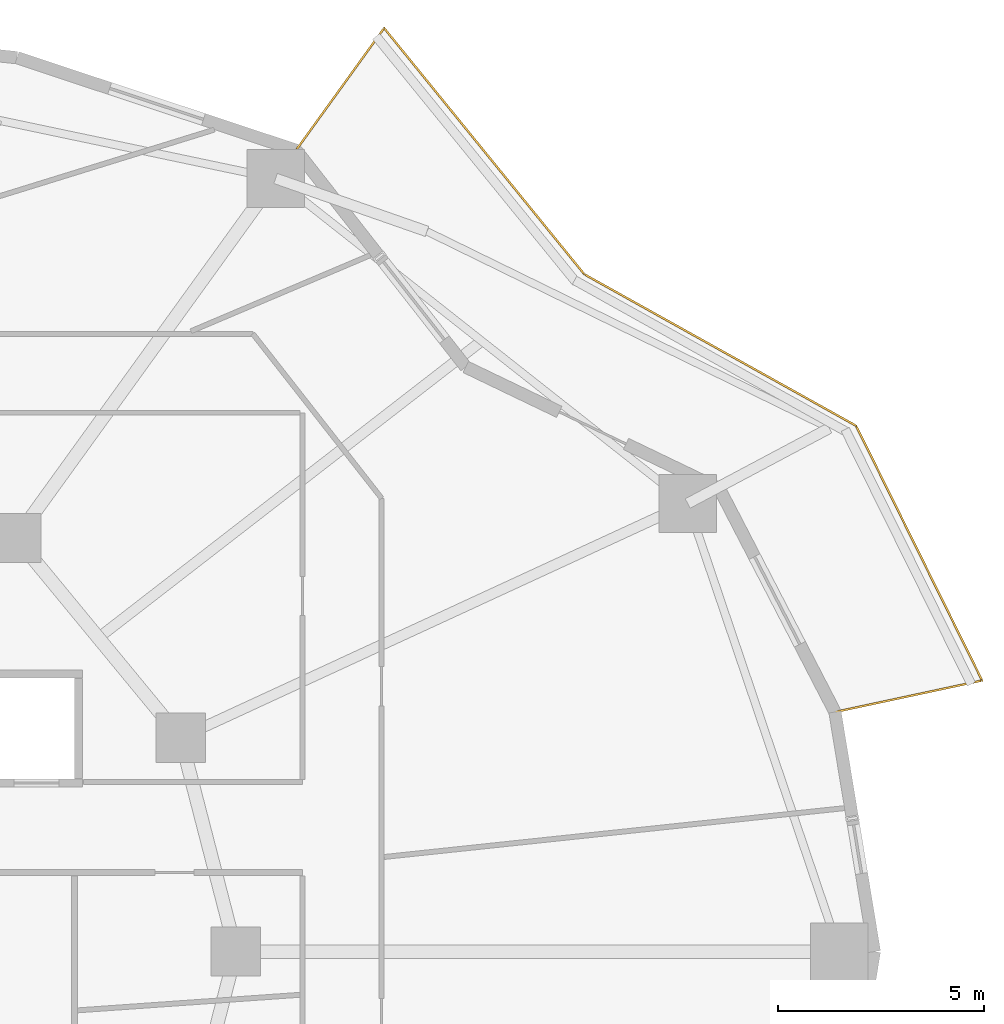
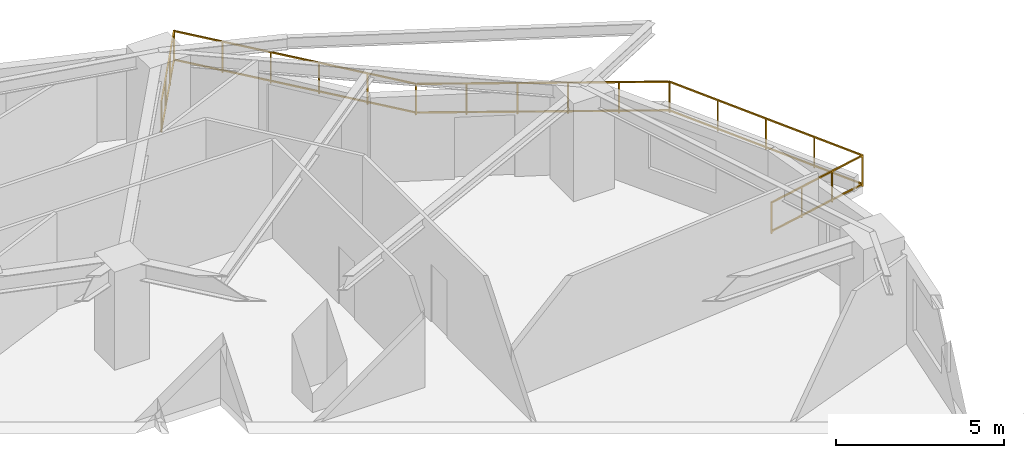
# One storey, part 14 of 14: 1 railing.
"""IFC4 building model written with IfcOpenShell, lengths in metres."""

from ifc_helpers import new_model, si_unit, direction, frame, origin, origin_2d, place, context, subcontext, project, spatial, rectangle, extrude, material, type_object, element, save


model = new_model("IFC4")

# Units and contexts
model_context = context("Model", 3, precision=1e-05, world=origin(), true_north=direction((0.0, 1.0)))
body_context = subcontext(model_context, "Body", "Model", "MODEL_VIEW")
ifc_project = project(units=[si_unit("LENGTHUNIT", "METRE"), si_unit("AREAUNIT", "SQUARE_METRE"), si_unit("VOLUMEUNIT", "CUBIC_METRE"), si_unit("PLANEANGLEUNIT", "RADIAN"), si_unit("MASSUNIT", "GRAM", prefix="KILO")], contexts=[model_context])

# Site, building, storey
site_placement = place(None, origin())
site = spatial("IfcSite", under=ifc_project, at=site_placement, CompositionType="ELEMENT")
building_placement = place(site_placement, origin())
building = spatial("IfcBuilding", under=site, at=building_placement, Name="Kolvaren Gate Tower and Convention Centre", CompositionType="ELEMENT")
storey_placement = place(building_placement, frame((0.0, 0.0, 41.89990234375)))
storey = spatial("IfcBuildingStorey", under=building, at=storey_placement, Name="L09", CompositionType="ELEMENT", Elevation=41.89990234375)

# Railing
ifc_material = material(Name="Brushed Stainless Steel Grade 316L", Category="steel")
railing_type = type_object("IfcRailingType", Name="ARCH-RL-GUARD-1150", PredefinedType="GUARDRAIL", material=ifc_material)
railing_placement = place(storey_placement, frame((57.291748046875, 32.823486328125, 0.0)))
element("IfcRailing", 1, at=railing_placement, inside=storey, type_object=railing_type, Name="Tower L09 Terrace Perimeter Guardrail GR-1", PredefinedType="GUARDRAIL", context=body_context, shape_type="SweptSolid", body=[
    extrude(rectangle(XDim=0.048095703125, YDim=0.048095703125, at=origin_2d()), frame((0.02734375, 0.005859375, 1.1259765625), z_axis=(0.977788745232, 0.209592866525, 0.0), x_axis=(-0.209592866525, 0.977788745232, 0.0)), (0.0, 0.0, 1.0), 3.603759765625),
    extrude(rectangle(XDim=0.048095703125, YDim=0.048095703125, at=origin_2d()), frame((0.02734375, 0.005859375, 0.083984375), z_axis=(0.977788745232, 0.209592866525, 0.0), x_axis=(-0.209592866525, 0.977788745232, 0.0)), (0.0, 0.0, 1.0), 3.603759765625),
    extrude(rectangle(XDim=0.048095703125, YDim=0.048095703125, at=origin_2d()), frame((3.566162109375, 0.792236328125, 1.1259765625), z_axis=(-0.443578479433, 0.8962355341, 0.0), x_axis=(-0.8962355341, -0.443578479433, 0.0)), (0.0, 0.0, 1.0), 6.855224609375),
    extrude(rectangle(XDim=0.048095703125, YDim=0.048095703125, at=origin_2d()), frame((3.566162109375, 0.792236328125, 0.083984375), z_axis=(-0.443578479433, 0.8962355341, 0.0), x_axis=(-0.8962355341, -0.443578479433, 0.0)), (0.0, 0.0, 1.0), 6.855224609375),
    extrude(rectangle(XDim=0.048095703125, YDim=0.048095703125, at=origin_2d()), frame((0.488525390625, 6.974853515625, 1.1259765625), z_axis=(-0.873486390754, 0.486848564923, 0.0), x_axis=(-0.486848564923, -0.873486390754, 0.0)), (0.0, 0.0, 1.0), 7.506103515625),
    extrude(rectangle(XDim=0.048095703125, YDim=0.048095703125, at=origin_2d()), frame((0.488525390625, 6.974853515625, 0.083984375), z_axis=(-0.873486390754, 0.486848564923, 0.0), x_axis=(-0.486848564923, -0.873486390754, 0.0)), (0.0, 0.0, 1.0), 7.506103515625),
    extrude(rectangle(XDim=0.048095703125, YDim=0.048095703125, at=origin_2d()), frame((-6.110107421875, 10.66455078125, 1.1259765625), z_axis=(-0.631012936188, 0.775772308324, 0.0), x_axis=(-0.775772308324, -0.631012936188, 0.0)), (0.0, 0.0, 1.0), 7.661376953125),
    extrude(rectangle(XDim=0.048095703125, YDim=0.048095703125, at=origin_2d()), frame((-6.110107421875, 10.66455078125, 0.083984375), z_axis=(-0.631012936188, 0.775772308324, 0.0), x_axis=(-0.775772308324, -0.631012936188, 0.0)), (0.0, 0.0, 1.0), 7.661376953125),
    extrude(rectangle(XDim=0.048095703125, YDim=0.048095703125, at=origin_2d()), frame((-10.978759765625, 16.607177734375, 1.1259765625), z_axis=(-0.585212870465, -0.810879705161, 0.0), x_axis=(0.810879705161, -0.585212870465, 0.0)), (0.0, 0.0, 1.0), 3.603759765625),
    extrude(rectangle(XDim=0.048095703125, YDim=0.048095703125, at=origin_2d()), frame((-10.978759765625, 16.607177734375, 0.083984375), z_axis=(-0.585212870465, -0.810879705161, 0.0), x_axis=(0.810879705161, -0.585212870465, 0.0)), (0.0, 0.0, 1.0), 3.603759765625),
    extrude(rectangle(XDim=0.0419921875, YDim=0.0419921875, at=origin_2d()), origin(), (0.0, 0.0, 1.0), 1.14990234375),
    extrude(rectangle(XDim=0.0419921875, YDim=0.0419921875, at=origin_2d()), frame((3.57861328125, 0.76708984375, 0.0)), (0.0, 0.0, 1.0), 1.14990234375),
    extrude(rectangle(XDim=0.0419921875, YDim=0.0419921875, at=origin_2d()), frame((1.19287109375, 0.255615234375, 0.0)), (0.0, 0.0, 1.0), 1.099853515625),
    extrude(rectangle(XDim=0.0419921875, YDim=0.0419921875, at=origin_2d()), frame((2.3857421875, 0.511474609375, 0.0)), (0.0, 0.0, 1.0), 1.099853515625),
    extrude(rectangle(XDim=0.0419921875, YDim=0.0419921875, at=origin_2d()), frame((0.512939453125, 6.961181640625, 0.0)), (0.0, 0.0, 1.0), 1.14990234375),
    extrude(rectangle(XDim=0.0419921875, YDim=0.0419921875, at=origin_2d()), frame((2.812255859375, 2.315673828125, 0.0)), (0.0, 0.0, 1.0), 1.099853515625),
    extrude(rectangle(XDim=0.0419921875, YDim=0.0419921875, at=origin_2d()), frame((2.0458984375, 3.8642578125, 0.0)), (0.0, 0.0, 1.0), 1.099853515625),
    extrude(rectangle(XDim=0.0419921875, YDim=0.0419921875, at=origin_2d()), frame((1.279296875, 5.41259765625, 0.0)), (0.0, 0.0, 1.0), 1.099853515625),
    extrude(rectangle(XDim=0.0419921875, YDim=0.0419921875, at=origin_2d()), frame((-6.092529296875, 10.642822265625, 0.0)), (0.0, 0.0, 1.0), 1.14990234375),
    extrude(rectangle(XDim=0.0419921875, YDim=0.0419921875, at=origin_2d()), frame((-0.80810546875, 7.697509765625, 0.0)), (0.0, 0.0, 1.0), 1.099853515625),
    extrude(rectangle(XDim=0.0419921875, YDim=0.0419921875, at=origin_2d()), frame((-2.129150390625, 8.433837890625, 0.0)), (0.0, 0.0, 1.0), 1.099853515625),
    extrude(rectangle(XDim=0.0419921875, YDim=0.0419921875, at=origin_2d()), frame((-3.450439453125, 9.170166015625, 0.0)), (0.0, 0.0, 1.0), 1.099853515625),
    extrude(rectangle(XDim=0.0419921875, YDim=0.0419921875, at=origin_2d()), frame((-4.771484375, 9.906494140625, 0.0)), (0.0, 0.0, 1.0), 1.099853515625),
    extrude(rectangle(XDim=0.0419921875, YDim=0.0419921875, at=origin_2d()), frame((-10.96240234375, 16.6298828125, 0.0)), (0.0, 0.0, 1.0), 1.14990234375),
    extrude(rectangle(XDim=0.0419921875, YDim=0.0419921875, at=origin_2d()), frame((-7.06640625, 11.84033203125, 0.0)), (0.0, 0.0, 1.0), 1.099853515625),
    extrude(rectangle(XDim=0.0419921875, YDim=0.0419921875, at=origin_2d()), frame((-8.04052734375, 13.03759765625, 0.0)), (0.0, 0.0, 1.0), 1.099853515625),
    extrude(rectangle(XDim=0.0419921875, YDim=0.0419921875, at=origin_2d()), frame((-9.014404296875, 14.235107421875, 0.0)), (0.0, 0.0, 1.0), 1.099853515625),
    extrude(rectangle(XDim=0.0419921875, YDim=0.0419921875, at=origin_2d()), frame((-9.988525390625, 15.432373046875, 0.0)), (0.0, 0.0, 1.0), 1.099853515625),
    extrude(rectangle(XDim=0.0419921875, YDim=0.0419921875, at=origin_2d()), frame((-13.104248046875, 13.662109375, 0.0)), (0.0, 0.0, 1.0), 1.14990234375),
    extrude(rectangle(XDim=0.0419921875, YDim=0.0419921875, at=origin_2d()), frame((-11.67626953125, 15.640625, 0.0)), (0.0, 0.0, 1.0), 1.099853515625),
    extrude(rectangle(XDim=0.0419921875, YDim=0.0419921875, at=origin_2d()), frame((-12.390380859375, 14.6513671875, 0.0)), (0.0, 0.0, 1.0), 1.099853515625),
])

save(model, "model.ifc")
